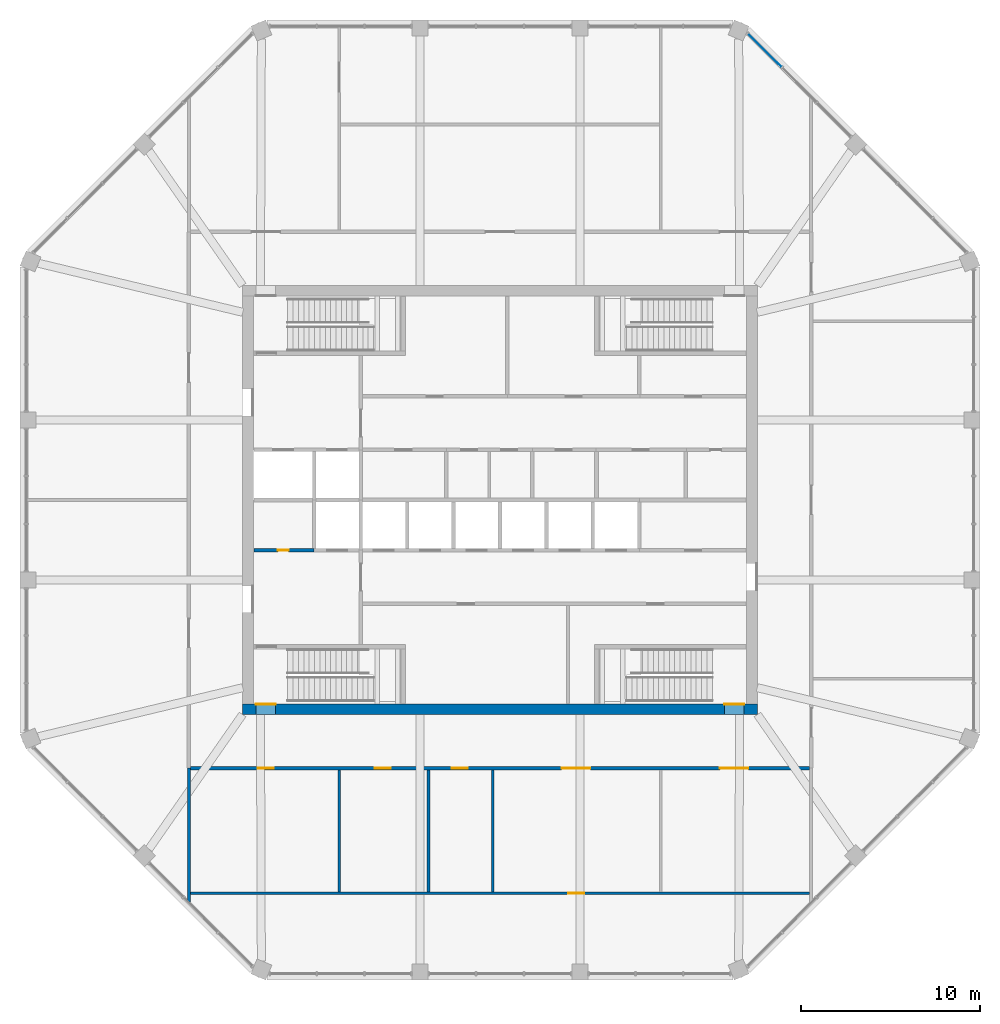
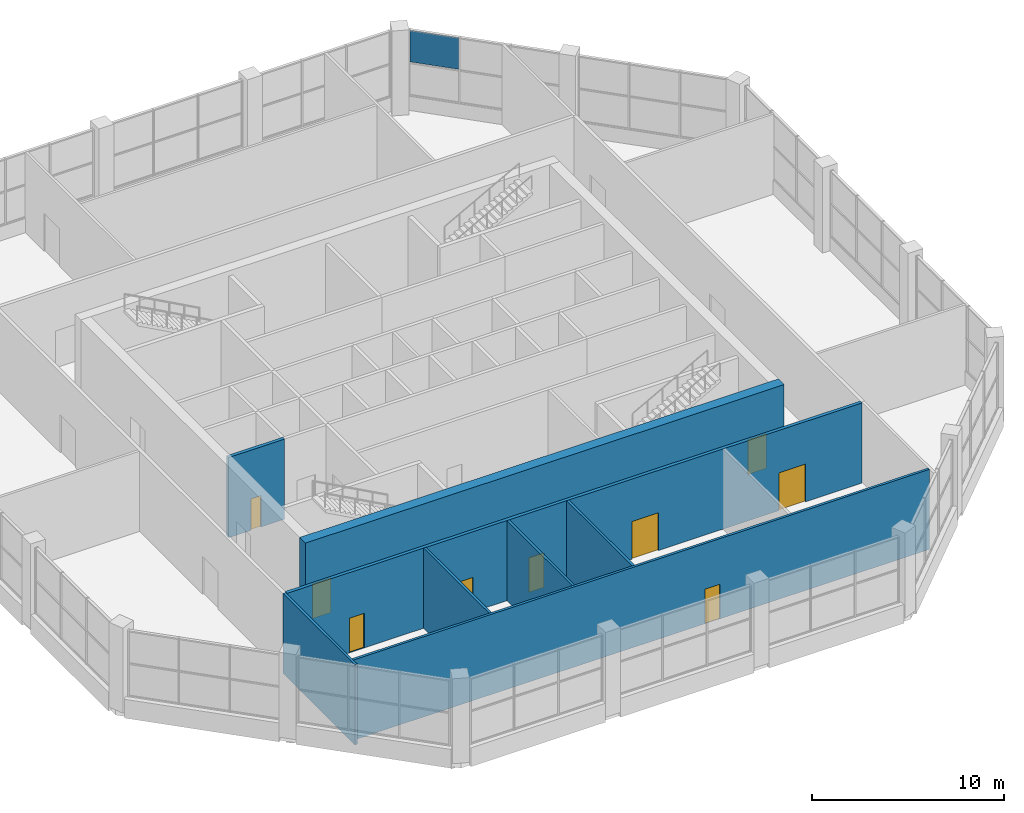
# One storey, part 11 of 15: 9 doors, 8 walls, 1 plate, 9 openings, 1 element without a shape of its own.
"""IFC4 building model written with IfcOpenShell, lengths in metres."""

from ifc_helpers import new_model, si_unit, direction, frame, frame_2d, origin, origin_2d, place, context, subcontext, project, spatial, rectangle, extrude, material, layer, layer_set, type_object, element, fill, aggregate, save


model = new_model("IFC4")

# Units and contexts
model_context = context("Model", 3, precision=1e-05, world=origin(), true_north=direction((0.0, 1.0)))
body_context = subcontext(model_context, "Body", "Model", "MODEL_VIEW")
ifc_project = project(units=[si_unit("LENGTHUNIT", "METRE"), si_unit("AREAUNIT", "SQUARE_METRE"), si_unit("VOLUMEUNIT", "CUBIC_METRE"), si_unit("PLANEANGLEUNIT", "RADIAN"), si_unit("MASSUNIT", "GRAM", prefix="KILO")], contexts=[model_context])

# Site, building, storey
site_placement = place(None, origin())
site = spatial("IfcSite", under=ifc_project, at=site_placement, CompositionType="ELEMENT")
building_placement = place(site_placement, origin())
building = spatial("IfcBuilding", under=site, at=building_placement, Name="Msitu Wima Residences", CompositionType="ELEMENT")
storey_placement = place(building_placement, frame((0.0, 0.0, 314.699951171875)))
storey = spatial("IfcBuildingStorey", under=building, at=storey_placement, Name="L73", CompositionType="ELEMENT", Elevation=314.699951171875)

# Curtain wall, plate
ifc_material_1 = material(Name="Anodised aluminium, bronze finish, solar control laminated double glazing", Category="aluminium")
curtain_wall_type = type_object("IfcCurtainWallType", Name="Curtain wall CW3 top lounge wall", PredefinedType="NOTDEFINED", material=ifc_material_1)
curtain_wall_placement = place(storey_placement, origin())
curtain_wall = element("IfcCurtainWall", 1, at=curtain_wall_placement, inside=storey, type_object=curtain_wall_type, Name="Curtain wall CW3 L73 NE1", PredefinedType="NOTDEFINED")
ifc_material_2 = material(Name="Solar control laminated double glazing", Category="glass")
ifc_layer_1 = layer(ifc_material_2, 0.0400390625)
ifc_layer_set_1 = layer_set([ifc_layer_1], Name="Solar control laminated double glazing")
plate_type = type_object("IfcPlateType", Name="Glass panel CW3 40", PredefinedType="CURTAIN_PANEL", material=ifc_layer_set_1)
plate_placement = place(storey_placement, frame((14.806640625, 25.140625, 3.03759765625), z_axis=(0.0, 0.0, 1.0), x_axis=(-0.707106841783, 0.707106720591, 0.0)))
plate = element("IfcPlate", 2, at=plate_placement, type_object=plate_type, Name="CW3 panel 3.2", PredefinedType="CURTAIN_PANEL", context=body_context, shape_type="SweptSolid", body=[
    extrude(rectangle(XDim=2.637939453125, YDim=0.0400390625, at=origin_2d()), origin(), (0.0, 0.0, 1.0), 1.987548828125),
])
aggregate(curtain_wall, [plate])

# Wall, openings, doors
ifc_material_3 = material(Name="Concrete C50/60", Category="concrete")
ifc_layer_2 = layer(ifc_material_3, 0.60009765625)
ifc_layer_set_2 = layer_set([ifc_layer_2], Name="Concrete C50/60")
wall_type_1 = type_object("IfcWallType", Name="Core wall CW600 C50/60", PredefinedType="SHEAR", material=ifc_layer_set_2)
wall_1_placement = place(storey_placement, frame((-14.39990234375, -11.699951171875, 0.0), z_axis=(0.0, 0.0, 1.0), x_axis=(1.0, 0.0, 0.0)))
wall_1 = element("IfcWall", 3, at=wall_1_placement, inside=storey, type_object=wall_type_1, Name="Core wall", PredefinedType="SHEAR", context=body_context, shape_type="SweptSolid", body=[
    extrude(rectangle(XDim=28.7998046875, YDim=0.60009765625, at=frame_2d((14.39990234375, 0.0))), origin(), (0.0, 0.0, 1.0), 5.400146484375),
])
opening_1_placement = place(wall_1_placement, frame((0.75, 0.0, 0.0)))
opening_1 = element("IfcOpeningElement", 4, at=opening_1_placement, cuts=wall_1, Name="Opening D73.037", PredefinedType="OPENING", context=body_context, shape_type="SweptSolid", body=[
    extrude(rectangle(XDim=1.10009765625, YDim=2.199951171875, at=frame_2d((0.550048828125, 1.10009765625))), frame((0.0, 0.31005859375, 0.0), z_axis=(0.0, -1.0, 0.0), x_axis=(1.0, 0.0, 0.0)), (0.0, 0.0, 1.0), 0.6201171875),
])
opening_2_placement = place(wall_1_placement, frame((26.949951171875, 0.0, 0.0)))
opening_2 = element("IfcOpeningElement", 5, at=opening_2_placement, cuts=wall_1, Name="Opening D73.039", PredefinedType="OPENING", context=body_context, shape_type="SweptSolid", body=[
    extrude(rectangle(XDim=1.10009765625, YDim=2.199951171875, at=frame_2d((0.550048828125, 1.10009765625))), frame((0.0, 0.31005859375, 0.0), z_axis=(0.0, -1.0, 0.0), x_axis=(1.0, 0.0, 0.0)), (0.0, 0.0, 1.0), 0.6201171875),
])
ifc_material_4 = material(Name="Steel door, fire resisting, panic bar", Category="steel")
door_type_1 = type_object("IfcDoorType", Name="Stair door D06 1100x2200", OperationType="SINGLE_SWING_LEFT", PredefinedType="DOOR", material=ifc_material_4)
door_1_placement = place(opening_1_placement, origin())
door_1 = element("IfcDoor", 6, at=door_1_placement, inside=storey, type_object=door_type_1, Name="Stair door", OperationType="SINGLE_SWING_LEFT", OverallHeight=2.199951171875, OverallWidth=1.10009765625, PredefinedType="DOOR", context=body_context, shape_type="SweptSolid", body=[
    extrude(rectangle(XDim=1.10009765625, YDim=2.199951171875, at=frame_2d((0.550048828125, 1.10009765625))), frame((0.0, 0.294921875, 0.0), z_axis=(0.0, -1.0, 0.0), x_axis=(1.0, 0.0, 0.0)), (0.0, 0.0, 1.0), 0.050048828125),
])
fill(opening_1, door_1)
door_2_placement = place(opening_2_placement, origin())
door_2 = element("IfcDoor", 7, at=door_2_placement, inside=storey, type_object=door_type_1, Name="Stair door", OperationType="SINGLE_SWING_RIGHT", OverallHeight=2.199951171875, OverallWidth=1.10009765625, PredefinedType="DOOR", context=body_context, shape_type="SweptSolid", body=[
    extrude(rectangle(XDim=1.10009765625, YDim=2.199951171875, at=frame_2d((0.550048828125, 1.10009765625))), frame((0.0, 0.294921875, 0.0), z_axis=(0.0, -1.0, 0.0), x_axis=(1.0, 0.0, 0.0)), (0.0, 0.0, 1.0), 0.050048828125),
])
fill(opening_2, door_2)

ifc_material_5 = material(Name="Plaster")
ifc_layer_3 = layer(ifc_material_5, 0.011962890625, Name="Plaster")
ifc_material_6 = material(Name="Concrete blockwork", Category="masonry")
ifc_layer_4 = layer(ifc_material_6, 0.176025390625, Name="Concrete blockwork")
ifc_layer_5 = layer(ifc_material_5, 0.011962890625, Name="Plaster")
ifc_layer_set_3 = layer_set([ifc_layer_3, ifc_layer_4, ifc_layer_5], Name="Concrete blockwork")
wall_type_2 = type_object("IfcWallType", Name="Corridor wall FW200", PredefinedType="PARTITIONING", material=ifc_layer_set_3)
wall_2_placement = place(storey_placement, frame((-17.300048828125, -15.0, 0.0), z_axis=(0.0, 0.0, 1.0), x_axis=(1.0, 0.0, 0.0)))
wall_2 = element("IfcWall", 8, at=wall_2_placement, inside=storey, type_object=wall_type_2, Name="Corridor wall", PredefinedType="PARTITIONING", context=body_context, shape_type="SweptSolid", body=[
    extrude(rectangle(XDim=34.60009765625, YDim=0.199951171875, at=frame_2d((17.300048828125, 0.0))), origin(), (0.0, 0.0, 1.0), 5.10009765625),
])
opening_3_placement = place(wall_2_placement, frame((3.75, 0.0, 0.0)))
opening_3 = element("IfcOpeningElement", 9, at=opening_3_placement, cuts=wall_2, Name="Opening D73.027", PredefinedType="OPENING", context=body_context, shape_type="SweptSolid", body=[
    extrude(rectangle(XDim=0.89990234375, YDim=2.199951171875, at=frame_2d((0.449951171875, 1.10009765625))), frame((0.0, 0.10986328125, 0.0), z_axis=(0.0, -1.0, 0.0), x_axis=(1.0, 0.0, 0.0)), (0.0, 0.0, 1.0), 0.219970703125),
])
opening_4_placement = place(wall_2_placement, frame((10.300048828125, 0.0, 0.0)))
opening_4 = element("IfcOpeningElement", 10, at=opening_4_placement, cuts=wall_2, Name="Opening D73.028", PredefinedType="OPENING", context=body_context, shape_type="SweptSolid", body=[
    extrude(rectangle(XDim=0.89990234375, YDim=2.199951171875, at=frame_2d((0.449951171875, 1.10009765625))), frame((0.0, 0.10986328125, 0.0), z_axis=(0.0, -1.0, 0.0), x_axis=(1.0, 0.0, 0.0)), (0.0, 0.0, 1.0), 0.219970703125),
])
opening_5_placement = place(wall_2_placement, frame((14.60009765625, 0.0, 0.0)))
opening_5 = element("IfcOpeningElement", 11, at=opening_5_placement, cuts=wall_2, Name="Opening D73.029", PredefinedType="OPENING", context=body_context, shape_type="SweptSolid", body=[
    extrude(rectangle(XDim=0.89990234375, YDim=2.199951171875, at=frame_2d((0.449951171875, 1.10009765625))), frame((0.0, 0.10986328125, 0.0), z_axis=(0.0, -1.0, 0.0), x_axis=(1.0, 0.0, 0.0)), (0.0, 0.0, 1.0), 0.219970703125),
])
opening_6_placement = place(wall_2_placement, frame((20.75, 0.0, 0.0)))
opening_6 = element("IfcOpeningElement", 12, at=opening_6_placement, cuts=wall_2, Name="Opening D73.030", PredefinedType="OPENING", context=body_context, shape_type="SweptSolid", body=[
    extrude(rectangle(XDim=1.60009765625, YDim=2.39990234375, at=frame_2d((0.800048828125, 1.199951171875))), frame((0.0, 0.10986328125, 0.0), z_axis=(0.0, -1.0, 0.0), x_axis=(1.0, 0.0, 0.0)), (0.0, 0.0, 1.0), 0.219970703125),
])
opening_7_placement = place(wall_2_placement, frame((29.60009765625, 0.0, 0.0)))
opening_7 = element("IfcOpeningElement", 13, at=opening_7_placement, cuts=wall_2, Name="Opening D73.031", PredefinedType="OPENING", context=body_context, shape_type="SweptSolid", body=[
    extrude(rectangle(XDim=1.60009765625, YDim=2.39990234375, at=frame_2d((0.800048828125, 1.199951171875))), frame((0.0, 0.10986328125, 0.0), z_axis=(0.0, -1.0, 0.0), x_axis=(1.0, 0.0, 0.0)), (0.0, 0.0, 1.0), 0.219970703125),
])
ifc_material_7 = material(Name="Black aluminium glazed door", Category="aluminium")
door_type_2 = type_object("IfcDoorType", Name="Amenity door D10 1600x2400", OperationType="DOUBLE_DOOR_SINGLE_SWING", PredefinedType="DOOR", material=ifc_material_7)
door_3_placement = place(opening_6_placement, origin())
door_3 = element("IfcDoor", 14, at=door_3_placement, inside=storey, type_object=door_type_2, Name="Amenity door", OperationType="DOUBLE_DOOR_SINGLE_SWING", OverallHeight=2.39990234375, OverallWidth=1.60009765625, PredefinedType="DOOR", context=body_context, shape_type="SweptSolid", body=[
    extrude(rectangle(XDim=1.60009765625, YDim=2.39990234375, at=frame_2d((0.800048828125, 1.199951171875))), frame((0.0, 0.02490234375, 0.0), z_axis=(0.0, -1.0, 0.0), x_axis=(1.0, 0.0, 0.0)), (0.0, 0.0, 1.0), 0.050048828125),
])
fill(opening_6, door_3)
door_4_placement = place(opening_7_placement, origin())
door_4 = element("IfcDoor", 15, at=door_4_placement, inside=storey, type_object=door_type_2, Name="Amenity door", OperationType="DOUBLE_DOOR_SINGLE_SWING", OverallHeight=2.39990234375, OverallWidth=1.60009765625, PredefinedType="DOOR", context=body_context, shape_type="SweptSolid", body=[
    extrude(rectangle(XDim=1.60009765625, YDim=2.39990234375, at=frame_2d((0.800048828125, 1.199951171875))), frame((0.0, 0.02490234375, 0.0), z_axis=(0.0, -1.0, 0.0), x_axis=(1.0, 0.0, 0.0)), (0.0, 0.0, 1.0), 0.050048828125),
])
fill(opening_7, door_4)
ifc_material_8 = material(Name="Timber flush door, moisture resistant", Category="wood")
door_type_3 = type_object("IfcDoorType", Name="Bathroom door D03 900x2200", OperationType="SINGLE_SWING_LEFT", PredefinedType="DOOR", material=ifc_material_8)
door_5_placement = place(opening_3_placement, origin())
door_5 = element("IfcDoor", 16, at=door_5_placement, inside=storey, type_object=door_type_3, Name="Bathroom door", OperationType="SINGLE_SWING_RIGHT", OverallHeight=2.199951171875, OverallWidth=0.89990234375, PredefinedType="DOOR", context=body_context, shape_type="SweptSolid", body=[
    extrude(rectangle(XDim=0.89990234375, YDim=2.199951171875, at=frame_2d((0.449951171875, 1.10009765625))), frame((0.0, 0.02490234375, 0.0), z_axis=(0.0, -1.0, 0.0), x_axis=(1.0, 0.0, 0.0)), (0.0, 0.0, 1.0), 0.050048828125),
])
fill(opening_3, door_5)
door_6_placement = place(opening_4_placement, origin())
door_6 = element("IfcDoor", 17, at=door_6_placement, inside=storey, type_object=door_type_3, Name="Bathroom door", OperationType="SINGLE_SWING_RIGHT", OverallHeight=2.199951171875, OverallWidth=0.89990234375, PredefinedType="DOOR", context=body_context, shape_type="SweptSolid", body=[
    extrude(rectangle(XDim=0.89990234375, YDim=2.199951171875, at=frame_2d((0.449951171875, 1.10009765625))), frame((0.0, 0.02490234375, 0.0), z_axis=(0.0, -1.0, 0.0), x_axis=(1.0, 0.0, 0.0)), (0.0, 0.0, 1.0), 0.050048828125),
])
fill(opening_4, door_6)
door_7_placement = place(opening_5_placement, origin())
door_7 = element("IfcDoor", 18, at=door_7_placement, inside=storey, type_object=door_type_3, Name="Bathroom door", OperationType="SINGLE_SWING_RIGHT", OverallHeight=2.199951171875, OverallWidth=0.89990234375, PredefinedType="DOOR", context=body_context, shape_type="SweptSolid", body=[
    extrude(rectangle(XDim=0.89990234375, YDim=2.199951171875, at=frame_2d((0.449951171875, 1.10009765625))), frame((0.0, 0.02490234375, 0.0), z_axis=(0.0, -1.0, 0.0), x_axis=(1.0, 0.0, 0.0)), (0.0, 0.0, 1.0), 0.050048828125),
])
fill(opening_5, door_7)

# Wall
ifc_layer_6 = layer(ifc_material_5, 0.011962890625, Name="Plaster")
ifc_layer_7 = layer(ifc_material_6, 0.1259765625, Name="Concrete blockwork")
ifc_layer_8 = layer(ifc_material_5, 0.011962890625, Name="Plaster")
ifc_layer_set_4 = layer_set([ifc_layer_6, ifc_layer_7, ifc_layer_8], Name="Concrete blockwork")
wall_type_3 = type_object("IfcWallType", Name="Partition PW150", PredefinedType="PARTITIONING", material=ifc_layer_set_4)
wall_3_placement = place(storey_placement, frame((-17.39990234375, -22.483642578125, 0.0), z_axis=(0.0, 0.0, 1.0), x_axis=(0.0, 1.0, 0.0)))
element("IfcWall", 19, at=wall_3_placement, inside=storey, type_object=wall_type_3, Name="Partition", PredefinedType="PARTITIONING", context=body_context, shape_type="SweptSolid", body=[
    extrude(rectangle(XDim=7.483642578125, YDim=0.14990234375, at=frame_2d((3.74169921875, 0.0))), origin(), (0.0, 0.0, 1.0), 5.10009765625),
])

# Wall, opening, door
wall_4_placement = place(storey_placement, frame((-17.324951171875, -22.0, 0.0), z_axis=(0.0, 0.0, 1.0), x_axis=(1.0, 0.0, 0.0)))
wall_4 = element("IfcWall", 20, at=wall_4_placement, inside=storey, type_object=wall_type_3, Name="Partition", PredefinedType="PARTITIONING", context=body_context, shape_type="SweptSolid", body=[
    extrude(rectangle(XDim=34.64990234375, YDim=0.14990234375, at=frame_2d((17.324951171875, 0.0))), origin(), (0.0, 0.0, 1.0), 5.10009765625),
])
opening_8_placement = place(wall_4_placement, frame((21.14990234375, 0.0, 0.0)))
opening_8 = element("IfcOpeningElement", 21, at=opening_8_placement, cuts=wall_4, Name="Opening D73.032", PredefinedType="OPENING", context=body_context, shape_type="SweptSolid", body=[
    extrude(rectangle(XDim=0.89990234375, YDim=2.199951171875, at=frame_2d((0.449951171875, 1.10009765625))), frame((0.0, 0.0849609375, 0.0), z_axis=(0.0, -1.0, 0.0), x_axis=(1.0, 0.0, 0.0)), (0.0, 0.0, 1.0), 0.169921875),
])
ifc_material_9 = material(Name="Timber flush door", Category="wood")
door_type_4 = type_object("IfcDoorType", Name="Service door D05 900x2200", OperationType="SINGLE_SWING_LEFT", PredefinedType="DOOR", material=ifc_material_9)
door_8_placement = place(opening_8_placement, origin())
door_8 = element("IfcDoor", 22, at=door_8_placement, inside=storey, type_object=door_type_4, Name="Service door", OperationType="SINGLE_SWING_LEFT", OverallHeight=2.199951171875, OverallWidth=0.89990234375, PredefinedType="DOOR", context=body_context, shape_type="SweptSolid", body=[
    extrude(rectangle(XDim=0.89990234375, YDim=2.199951171875, at=frame_2d((0.449951171875, 1.10009765625))), frame((0.0, 0.02490234375, 0.0), z_axis=(0.0, -1.0, 0.0), x_axis=(1.0, 0.0, 0.0)), (0.0, 0.0, 1.0), 0.050048828125),
])
fill(opening_8, door_8)

# Walls
for number, where, z_axis, x_axis, name in (
    (23, (-9.0, -21.925048828125, 0.0), (0.0, 0.0, 1.0), (0.0, 1.0, 0.0), "Partition"),
    (24, (-4.0, -21.925048828125, 0.0), (0.0, 0.0, 1.0), (0.0, 1.0, 0.0), "Partition"),
    (25, (-0.39990234375, -21.925048828125, 0.0), (0.0, 0.0, 1.0), (0.0, 1.0, 0.0), "Partition"),
):
    element("IfcWall", number, at=place(storey_placement, frame(where, z_axis=z_axis, x_axis=x_axis)), inside=storey, type_object=wall_type_3, Name=name, PredefinedType="PARTITIONING", context=body_context, shape_type="SweptSolid", body=[
        extrude(rectangle(XDim=6.824951171875, YDim=0.14990234375, at=frame_2d((3.41259765625, 0.0))), origin(), (0.0, 0.0, 1.0), 5.10009765625),
    ])

# Wall, opening, door
ifc_layer_9 = layer(ifc_material_5, 0.011962890625, Name="Plaster")
ifc_material_10 = material(Name="Reinforced concrete blockwork", Category="masonry")
ifc_layer_10 = layer(ifc_material_10, 0.176025390625, Name="Reinforced concrete blockwork")
ifc_layer_11 = layer(ifc_material_5, 0.011962890625, Name="Plaster")
ifc_layer_set_5 = layer_set([ifc_layer_9, ifc_layer_10, ifc_layer_11], Name="Reinforced concrete blockwork")
wall_type_4 = type_object("IfcWallType", Name="Plant and riser wall PL200", PredefinedType="PARTITIONING", material=ifc_layer_set_5)
wall_5_placement = place(storey_placement, frame((-13.77001953125, -2.800048828125, 0.0), z_axis=(0.0, 0.0, 1.0), x_axis=(1.0, 0.0, 0.0)))
wall_5 = element("IfcWall", 26, at=wall_5_placement, inside=storey, type_object=wall_type_4, Name="Plant and riser wall", PredefinedType="PARTITIONING", context=body_context, shape_type="SweptSolid", body=[
    extrude(rectangle(XDim=3.3701171875, YDim=0.199951171875, at=frame_2d((1.68505859375, 0.0))), origin(), (0.0, 0.0, 1.0), 5.10009765625),
])
opening_9_placement = place(wall_5_placement, frame((1.35009765625, 0.0, 0.0)))
opening_9 = element("IfcOpeningElement", 27, at=opening_9_placement, cuts=wall_5, Name="Opening D73.015", PredefinedType="OPENING", context=body_context, shape_type="SweptSolid", body=[
    extrude(rectangle(XDim=0.60009765625, YDim=2.0, at=frame_2d((0.300048828125, 1.0))), frame((0.0, 0.10986328125, 0.0), z_axis=(0.0, -1.0, 0.0), x_axis=(1.0, 0.0, 0.0)), (0.0, 0.0, 1.0), 0.219970703125),
])
ifc_material_11 = material(Name="Steel access door, fire resisting", Category="steel")
door_type_5 = type_object("IfcDoorType", Name="Riser access door D08 600x2000", OperationType="SINGLE_SWING_LEFT", PredefinedType="DOOR", material=ifc_material_11)
door_9_placement = place(opening_9_placement, origin())
door_9 = element("IfcDoor", 28, at=door_9_placement, inside=storey, type_object=door_type_5, Name="Riser access door", OperationType="SINGLE_SWING_RIGHT", OverallHeight=2.0, OverallWidth=0.60009765625, PredefinedType="DOOR", context=body_context, shape_type="SweptSolid", body=[
    extrude(rectangle(XDim=0.60009765625, YDim=2.0, at=frame_2d((0.300048828125, 1.0))), frame((0.0, 0.02490234375, 0.0), z_axis=(0.0, -1.0, 0.0), x_axis=(1.0, 0.0, 0.0)), (0.0, 0.0, 1.0), 0.050048828125),
])
fill(opening_9, door_9)

save(model, "model.ifc")
